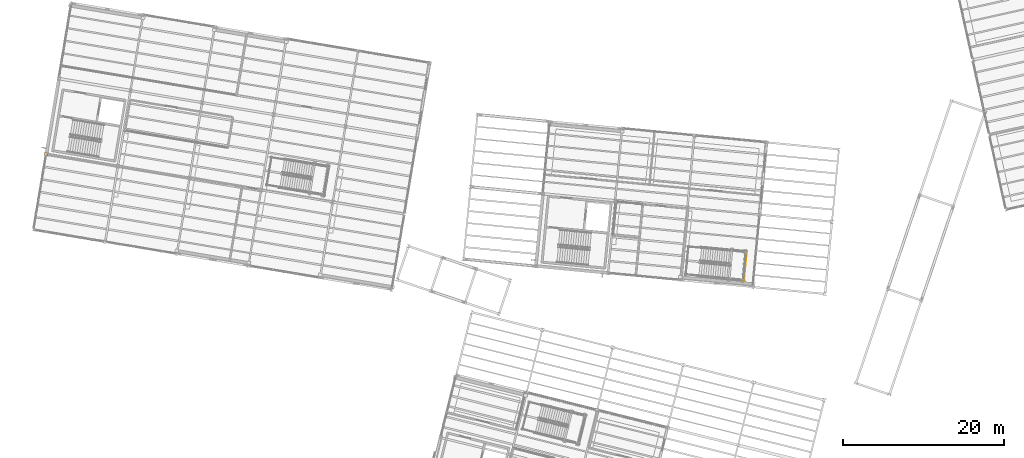
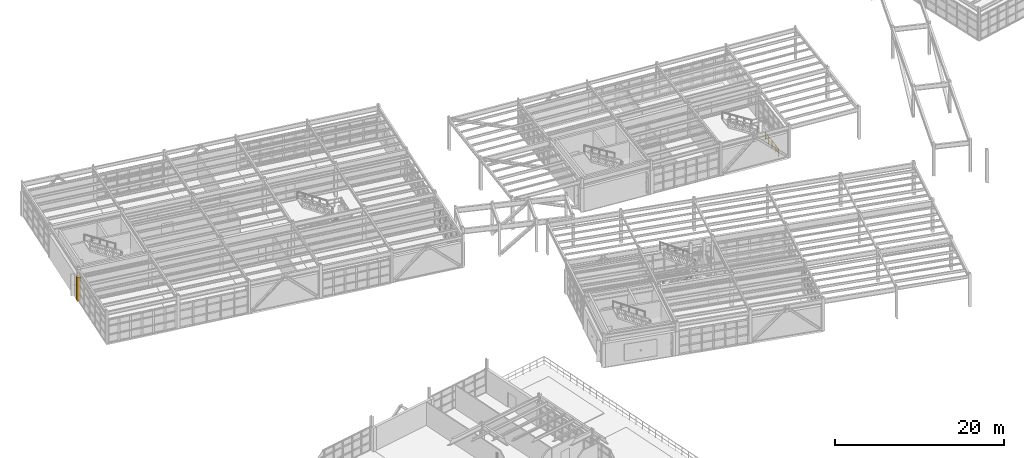
# One storey, part 105 of 109: 1 covering, 1 railing.
"""IFC4 building model written with IfcOpenShell, lengths in metres."""

from ifc_helpers import new_model, si_unit, direction, frame, origin, origin_2d, place, context, subcontext, project, spatial, rectangle, circle, extrude, material, layer, layer_set, type_object, element, save


model = new_model("IFC4")

# Units and contexts
model_context = context("Model", 3, precision=1e-05, world=origin(), true_north=direction((0.0, 1.0)))
body_context = subcontext(model_context, "Body", "Model", "MODEL_VIEW")
ifc_project = project(units=[si_unit("LENGTHUNIT", "METRE"), si_unit("AREAUNIT", "SQUARE_METRE"), si_unit("VOLUMEUNIT", "CUBIC_METRE"), si_unit("PLANEANGLEUNIT", "RADIAN"), si_unit("MASSUNIT", "GRAM", prefix="KILO")], contexts=[model_context])

# Site, building, storey
site_placement = place(None, origin())
site = spatial("IfcSite", under=ifc_project, at=site_placement, CompositionType="ELEMENT")
building_placement = place(site_placement, origin())
building = spatial("IfcBuilding", under=site, at=building_placement, Name="Vireo Bluff Cable Station", CompositionType="ELEMENT")
storey_placement = place(building_placement, frame((0.0, 0.0, 4.800048828125)))
storey = spatial("IfcBuildingStorey", under=building, at=storey_placement, Name="L01", CompositionType="ELEMENT", Elevation=4.800048828125)

# Covering
ifc_material_1 = material(Name="Precast concrete f'c 45 MPa", Category="concrete")
ifc_layer = layer(ifc_material_1, 0.0400390625, Name="Precast concrete f'c 45 MPa")
ifc_layer_set = layer_set([ifc_layer], Name="Precast concrete f'c 45 MPa")
covering_type = type_object("IfcCoveringType", Name="COL-CLOSURE-WRAP", PredefinedType="CLADDING", material=ifc_layer_set)
covering_placement = place(storey_placement, frame((7.068359375, 80.87158203125, 0.0), z_axis=(0.0, 0.0, 1.0), x_axis=(0.986285601537, -0.165047605861, 0.0)))
element("IfcCovering", 1, at=covering_placement, inside=storey, type_object=covering_type, Name="V4 L01 column pocket closure", PredefinedType="CLADDING", context=body_context, shape_type="SweptSolid", body=[
    extrude(rectangle(XDim=0.43994140625, YDim=0.43994140625, at=origin_2d()), origin(), (0.0, 0.0, 1.0), 3.39990234375),
])

# Railing
ifc_material_2 = material(Name="Stainless Steel 316", Category="steel")
railing_type = type_object("IfcRailingType", Name="STAIR-GUARD-1100", PredefinedType="GUARDRAIL", material=ifc_material_2)
railing_placement = place(storey_placement, frame((93.526611328125, 65.12353515625, 0.0)))
element("IfcRailing", 2, at=railing_placement, inside=storey, type_object=railing_type, Name="L01 ST-11 stair guard 13", PredefinedType="GUARDRAIL", context=body_context, shape_type="SweptSolid", body=[
    extrude(circle(Radius=0.02392578125, at=origin_2d()), frame((0.0, 0.0, 1.076171875), z_axis=(0.095838604349, 0.995396886632, 0.0), x_axis=(-0.995396886632, 0.095838604349, 0.0)), (0.0, 0.0, 1.0), 3.760009765625),
    extrude(circle(Radius=0.02392578125, at=origin_2d()), frame((0.0, 0.0, 0.550048828125), z_axis=(0.095838604349, 0.995396886632, 0.0), x_axis=(-0.995396886632, 0.095838604349, 0.0)), (0.0, 0.0, 1.0), 3.760009765625),
    extrude(circle(Radius=0.02099609375, at=origin_2d()), origin(), (0.0, 0.0, 1.0), 1.052001953125),
    extrude(circle(Radius=0.02099609375, at=origin_2d()), frame((0.090087890625, 0.935546875, 0.0)), (0.0, 0.0, 1.0), 1.052001953125),
    extrude(circle(Radius=0.02099609375, at=origin_2d()), frame((0.18017578125, 1.871337890625, 0.0)), (0.0, 0.0, 1.0), 1.052001953125),
    extrude(circle(Radius=0.02099609375, at=origin_2d()), frame((0.270263671875, 2.80712890625, 0.0)), (0.0, 0.0, 1.0), 1.052001953125),
    extrude(circle(Radius=0.02099609375, at=origin_2d()), frame((0.3603515625, 3.74267578125, 0.0)), (0.0, 0.0, 1.0), 1.052001953125),
])

save(model, "model.ifc")
